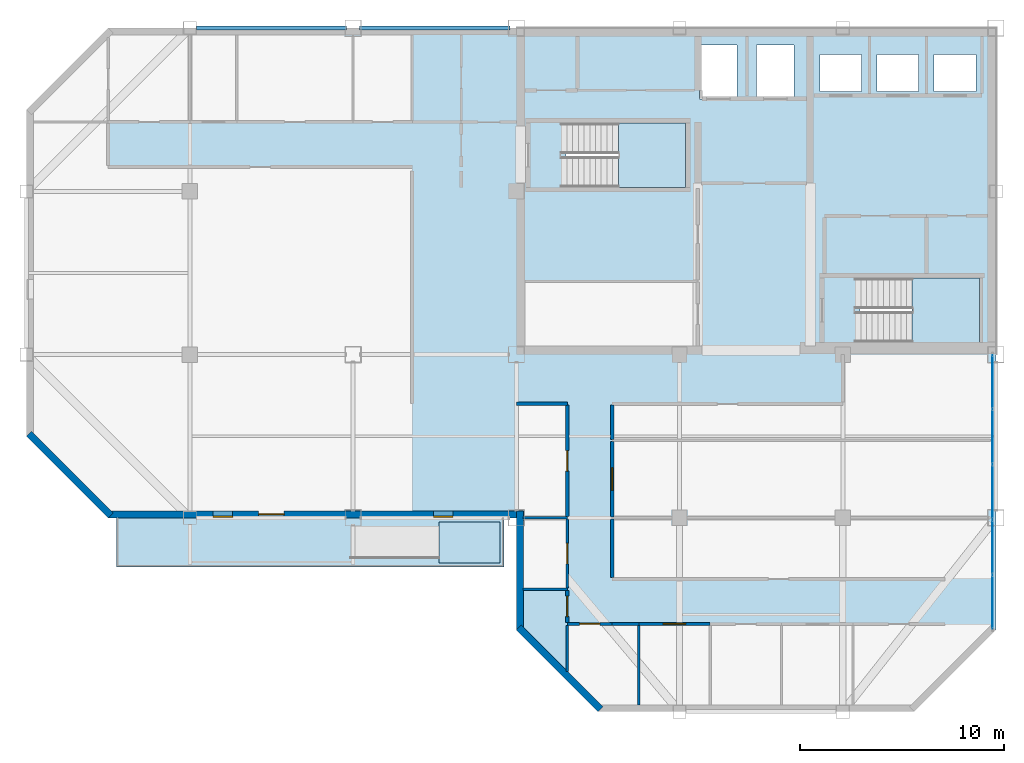
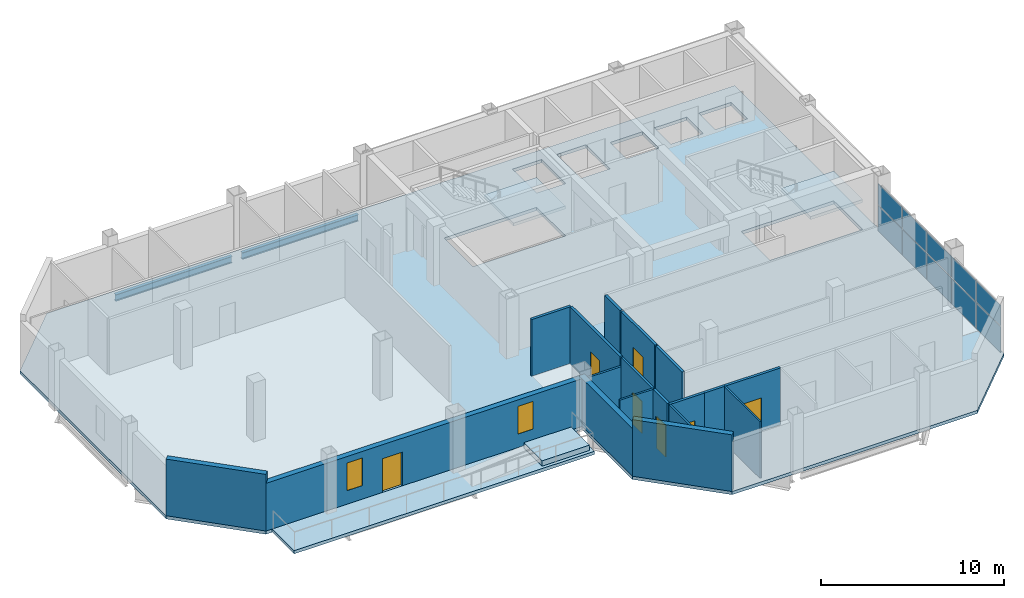
# One storey, part 7 of 13: 18 walls, 10 plates, 7 doors, 5 slabs, 2 beams, 2 windows, 9 openings, 4 elements without a shape of their own.
"""IFC4 building model written with IfcOpenShell, lengths in metres."""

import ifcopenshell
import ifcopenshell.guid

model = None  # the IFC model being written
_history = None  # IfcOwnerHistory: only IFC2X3 demands one
_inside = {}  # id of a spatial element -> (the spatial element, [elements in it])
_under = {}  # id of a project, library or spatial element -> (it, [spatial elements below it])
_declared = {}  # id of a project -> (the project, [libraries it declares])
_typed = {}  # id of a type object -> (the type object, [elements of that type])
_made_of = {}  # id of a material, layer set ... -> (it, [elements and type objects made of it])


def new_model(schema):
    """Start an empty IFC model of exactly this schema.

    Asked for "IFC4X3", IfcOpenShell would pick the latest addendum, in which some entities
    have other attributes; the version numbers below select the first issue.
    IFC2X3 requires an IfcOwnerHistory on every rooted entity: one is made here for all.
    """
    global model, _history
    if schema == "IFC4X3":
        model = ifcopenshell.file(schema_version=(4, 3, 0, 0))
    else:
        model = ifcopenshell.file(schema=schema)
    _inside.clear()
    _under.clear()
    _declared.clear()
    _typed.clear()
    _made_of.clear()
    _history = None
    if model.schema == "IFC2X3":
        org = make("IfcOrganization", Name="unknown")
        user = make(
            "IfcPersonAndOrganization",
            ThePerson=make("IfcPerson", FamilyName="unknown"),
            TheOrganization=org,
        )
        app = make(
            "IfcApplication",
            ApplicationDeveloper=org,
            Version="unknown",
            ApplicationFullName="unknown",
            ApplicationIdentifier="unknown",
        )
        _history = make(
            "IfcOwnerHistory",
            OwningUser=user,
            OwningApplication=app,
            ChangeAction="ADDED",
            CreationDate=0,
        )
    return model


def make(cls, **values):
    """One entity of the class cls with the attributes given. An attribute that is None is left unset."""
    return model.create_entity(
        cls, **{name: value for name, value in values.items() if value is not None}
    )


def rooted(cls, **values):
    """An entity with a GlobalId (a new one), such as an element, a storey or a relation."""
    return make(cls, GlobalId=ifcopenshell.guid.new(), OwnerHistory=_history, **values)


def si_unit(unit_type, name, prefix=None):
    """IfcSIUnit, for example si_unit("LENGTHUNIT", "METRE", prefix="MILLI")."""
    return make("IfcSIUnit", UnitType=unit_type, Prefix=prefix, Name=name)


def assignment(units):
    """IfcUnitAssignment: the units of a project."""
    return None if units is None else make("IfcUnitAssignment", Units=units)


def point(xyz):
    """IfcCartesianPoint."""
    return None if xyz is None else make("IfcCartesianPoint", Coordinates=xyz)


def direction(xyz):
    """IfcDirection."""
    return None if xyz is None else make("IfcDirection", DirectionRatios=xyz)


def frame(location, z_axis=None, x_axis=None):
    """IfcAxis2Placement3D, a coordinate frame: its origin and axes. An axis left out is left unset."""
    return make(
        "IfcAxis2Placement3D",
        Location=point(location),
        Axis=direction(z_axis),
        RefDirection=direction(x_axis),
    )


def frame_2d(location, x_axis=None):
    """IfcAxis2Placement2D, a coordinate frame in the plane: its origin and x axis."""
    return make(
        "IfcAxis2Placement2D", Location=point(location), RefDirection=direction(x_axis)
    )


def origin():
    """The frame at (0, 0, 0) with its axes left unset."""
    return frame((0.0, 0.0, 0.0))


def origin_2d():
    """The frame at (0, 0) in the plane with its x axis left unset."""
    return frame_2d((0.0, 0.0))


def place(relative_to, where):
    """IfcLocalPlacement: puts the frame where relative to a parent placement (None: the world)."""
    return make(
        "IfcLocalPlacement", PlacementRelTo=relative_to, RelativePlacement=where
    )


def context(
    kind, dimensions, precision=None, world=None, true_north=None, identifier=None
):
    """IfcGeometricRepresentationContext, for example the 3D "Model" context."""
    return make(
        "IfcGeometricRepresentationContext",
        ContextIdentifier=identifier,
        ContextType=kind,
        CoordinateSpaceDimension=dimensions,
        Precision=precision,
        WorldCoordinateSystem=world,
        TrueNorth=true_north,
    )


def subcontext(parent, identifier, kind, view, scale=None):
    """IfcGeometricRepresentationSubContext, for example "Body" below "Model"."""
    return make(
        "IfcGeometricRepresentationSubContext",
        ContextIdentifier=identifier,
        ContextType=kind,
        ParentContext=parent,
        TargetScale=scale,
        TargetView=view,
    )


def project(units=None, contexts=None):
    """IfcProject with its units and contexts."""
    return rooted(
        "IfcProject",
        Name="project",
        RepresentationContexts=contexts,
        UnitsInContext=assignment(units),
    )


def spatial(cls, under=None, at=None, **own):
    """A site, building, storey or space (cls), placed at a placement, below another one or the project."""
    s = rooted(cls, ObjectPlacement=at, **own)
    if under is not None:
        _under.setdefault(under.id(), (under, []))[1].append(s)
    return s


def polyline(points):
    """IfcPolyline through the points."""
    return make("IfcPolyline", Points=[point(p) for p in points])


def profile(cls, at=None, kind="AREA", **sizes):
    """A parametric profile (cls). Its sizes go by their IFC names, for example OverallWidth=200.0."""
    return make(cls, ProfileType=kind, Position=at, **sizes)


def rectangle(**sizes):
    """IfcRectangleProfileDef."""
    return profile("IfcRectangleProfileDef", **sizes)


def i_section(**sizes):
    """IfcIShapeProfileDef."""
    return profile("IfcIShapeProfileDef", **sizes)


def outline(outer, holes=None, kind="AREA"):
    """IfcArbitraryClosedProfileDef: a profile drawn as a closed curve; with holes, ...WithVoids."""
    if holes is None:
        return make("IfcArbitraryClosedProfileDef", ProfileType=kind, OuterCurve=outer)
    return make(
        "IfcArbitraryProfileDefWithVoids",
        ProfileType=kind,
        OuterCurve=outer,
        InnerCurves=holes,
    )


def extrude(swept, where, along, depth):
    """IfcExtrudedAreaSolid: the profile swept, set in the frame where, extruded along a direction by depth."""
    return make(
        "IfcExtrudedAreaSolid",
        SweptArea=swept,
        Position=where,
        ExtrudedDirection=direction(along),
        Depth=depth,
    )


def shape(context_of_items, identifier, shape_type, items):
    """IfcShapeRepresentation: the items that make up one representation, for example the "Body"."""
    return make(
        "IfcShapeRepresentation",
        ContextOfItems=context_of_items,
        RepresentationIdentifier=identifier,
        RepresentationType=shape_type,
        Items=items,
    )


def material(Name=None, Category=None):
    """IfcMaterial."""
    return make("IfcMaterial", Name=Name, Category=Category)


def layer(
    of_material, thickness, ventilated=None, Name=None, Category=None, Priority=None
):
    """IfcMaterialLayer: one layer of a wall or slab, of a material (None: an air gap)."""
    return make(
        "IfcMaterialLayer",
        Material=of_material,
        LayerThickness=thickness,
        IsVentilated=ventilated,
        Name=Name,
        Category=Category,
        Priority=Priority,
    )


def layer_set(layers, Name=None):
    """IfcMaterialLayerSet."""
    return make("IfcMaterialLayerSet", MaterialLayers=layers, LayerSetName=Name)


def material_profile(
    of_material, cross_section, Name=None, Category=None, Priority=None
):
    """IfcMaterialProfile: a cross section and its material."""
    return make(
        "IfcMaterialProfile",
        Name=Name,
        Material=of_material,
        Profile=cross_section,
        Priority=Priority,
        Category=Category,
    )


def profile_set(profiles, Name=None, composite=None):
    """IfcMaterialProfileSet."""
    return make(
        "IfcMaterialProfileSet",
        Name=Name,
        MaterialProfiles=profiles,
        CompositeProfile=composite,
    )


def made_of(thing, what):
    """Note that an element or type object is made of a material, layer set ...; save() writes the relation."""
    if what is not None:
        _made_of.setdefault(what.id(), (what, []))[1].append(thing)
    return thing


def type_object(cls, material=None, **own):
    """A type object (cls), such as IfcWallType, which elements share."""
    return made_of(rooted(cls, **own), material)


def element(
    cls,
    number,
    at=None,
    inside=None,
    cuts=None,
    type_object=None,
    material=None,
    context=None,
    identifier="Body",
    shape_type=None,
    held_by="IfcProductDefinitionShape",
    body=None,
    shapes=None,
    **own,
):
    """One element of the class cls, such as IfcWall. Its Tag is "e" and its number.

    at: its placement. inside: the storey or other place that contains it. cuts: it is an
    opening in that element (IfcRelVoidsElement). A single representation is given by context,
    identifier, shape_type and body (its items); several are given by shapes. held_by: the class
    of the entity that holds the representations. save() writes the other relations.
    """
    e = rooted(cls, Tag="e%d" % number, ObjectPlacement=at, **own)
    if body is not None:
        shapes = [shape(context, identifier, shape_type, body)]
    if shapes is not None:
        e.Representation = make(held_by, Representations=shapes)
    if inside is not None:
        _inside.setdefault(inside.id(), (inside, []))[1].append(e)
    if cuts is not None:
        rooted(
            "IfcRelVoidsElement", RelatingBuildingElement=cuts, RelatedOpeningElement=e
        )
    if type_object is not None:
        _typed.setdefault(type_object.id(), (type_object, []))[1].append(e)
    return made_of(e, material)


def fill(opening, filler):
    """IfcRelFillsElement: the door or window that sits in an opening."""
    return rooted(
        "IfcRelFillsElement",
        RelatingOpeningElement=opening,
        RelatedBuildingElement=filler,
    )


def aggregate(whole, parts):
    """IfcRelAggregates: a whole, such as a stair, and the parts it consists of."""
    return rooted("IfcRelAggregates", RelatingObject=whole, RelatedObjects=parts)


def save(model, path):
    """Write the relations noted so far, then the file.

    IfcRelAggregates (storeys below a building ...), IfcRelContainedInSpatialStructure (elements
    in a storey), IfcRelDefinesByType, IfcRelAssociatesMaterial and IfcRelDeclares: one each for
    every whole, place, type object, material and project.
    """
    for whole, parts in _under.values():
        aggregate(whole, parts)
    for where, things in _inside.values():
        rooted(
            "IfcRelContainedInSpatialStructure",
            RelatedElements=things,
            RelatingStructure=where,
        )
    for kind, things in _typed.values():
        rooted("IfcRelDefinesByType", RelatedObjects=things, RelatingType=kind)
    for what, things in _made_of.values():
        rooted("IfcRelAssociatesMaterial", RelatedObjects=things, RelatingMaterial=what)
    for by, libraries in _declared.values():
        rooted("IfcRelDeclares", RelatingContext=by, RelatedDefinitions=libraries)
    model.write(path)


model = new_model("IFC4")

# Units and contexts
model_context = context("Model", 3, precision=1e-05, world=origin(), true_north=direction((0.0, 1.0)))
body_context = subcontext(model_context, "Body", "Model", "MODEL_VIEW")
ifc_project = project(units=[si_unit("LENGTHUNIT", "METRE"), si_unit("AREAUNIT", "SQUARE_METRE"), si_unit("VOLUMEUNIT", "CUBIC_METRE"), si_unit("PLANEANGLEUNIT", "RADIAN"), si_unit("MASSUNIT", "GRAM", prefix="KILO")], contexts=[model_context])

# Site, building, storey
site_placement = place(None, origin())
site = spatial("IfcSite", under=ifc_project, at=site_placement, CompositionType="ELEMENT")
building_placement = place(site_placement, origin())
building = spatial("IfcBuilding", under=site, at=building_placement, Name="Qianrong Seaharbour Tower", CompositionType="ELEMENT")
storey_placement = place(building_placement, frame((0.0, 0.0, 295.199951171875)))
storey = spatial("IfcBuildingStorey", under=building, at=storey_placement, Name="L71", CompositionType="ELEMENT", Elevation=295.199951171875)

# Beams
ifc_material_1 = material(Name="Structural steel SN400B", Category="steel")
ifc_material_profile = material_profile(ifc_material_1, i_section(OverallWidth=0.199951171875, OverallDepth=0.449951171875, WebThickness=0.009033203125, FlangeThickness=0.013916015625, FilletRadius=0.01806640625, at=origin_2d()), Name="H450x200x9x14")
ifc_profile_set = profile_set([ifc_material_profile], Name="Structural steel SN400B")
beam_type = type_object("IfcBeamType", Name="BM-SP-450", PredefinedType="SPANDREL", material=ifc_profile_set)
for number, where, z_axis, x_axis, name in (
    (1, (24.820068359375, 52.0, -0.43994140625), (1.0, 0.0, 0.0), (0.0, 1.0, 0.0), "L71 Spandrel Girder GH G4-G5"),
    (2, (32.820068359375, 52.0, -0.43994140625), (1.0, 0.0, 0.0), (0.0, 1.0, 0.0), "L71 Spandrel Girder GH G5-G6"),
):
    element("IfcBeam", number, at=place(storey_placement, frame(where, z_axis=z_axis, x_axis=x_axis)), inside=storey, type_object=beam_type, Name=name, PredefinedType="SPANDREL", context=body_context, shape_type="SweptSolid", body=[
        extrude(i_section(OverallWidth=0.199951171875, OverallDepth=0.449951171875, WebThickness=0.009033203125, FlangeThickness=0.013916015625, FilletRadius=0.01806640625, at=origin_2d()), origin(), (0.0, 0.0, 1.0), 7.35986328125),
    ])

# Curtain wall, plates
ifc_material_2 = material(Name="Anodised aluminium 6063-T6 and laminated low-e glass", Category="aluminium")
ifc_layer_1 = layer(ifc_material_2, 0.195068359375)
ifc_layer_set_1 = layer_set([ifc_layer_1], Name="Anodised aluminium 6063-T6 and laminated low-e glass")
curtain_wall_type = type_object("IfcCurtainWallType", Name="CW-SYS-3", PredefinedType="NOTDEFINED", material=ifc_layer_set_1)
curtain_wall_placement = place(storey_placement, origin())
curtain_wall = element("IfcCurtainWall", 3, at=curtain_wall_placement, inside=storey, type_object=curtain_wall_type, Name="L71 Sky-Garden Wintergarden Curtain Wall EAST_WING", PredefinedType="NOTDEFINED")
ifc_material_3 = material(Name="Laminated solar-control low-e glass", Category="glass")
ifc_layer_2 = layer(ifc_material_3, 0.031982421875)
ifc_layer_set_2 = layer_set([ifc_layer_2], Name="Laminated solar-control low-e glass")
plate_type = type_object("IfcPlateType", Name="CW-PAN-VISION-32", PredefinedType="CURTAIN_PANEL", material=ifc_layer_set_2)
plate_1_placement = place(storey_placement, frame((63.830078125, 34.677490234375, 0.06494140625), z_axis=(0.0, 0.0, 1.0), x_axis=(0.0, -1.0, 0.0)))
plate_1 = element("IfcPlate", 4, at=plate_1_placement, type_object=plate_type, Name="CW-3 panel 1.1", PredefinedType="CURTAIN_PANEL", context=body_context, shape_type="SweptSolid", body=[
    extrude(rectangle(XDim=2.60498046875, YDim=0.031982421875, at=origin_2d()), origin(), (0.0, 0.0, 1.0), 1.714599609375),
])
plate_2_placement = place(storey_placement, frame((63.830078125, 34.677490234375, 1.8447265625), z_axis=(0.0, 0.0, 1.0), x_axis=(0.0, -1.0, 0.0)))
plate_2 = element("IfcPlate", 5, at=plate_2_placement, type_object=plate_type, Name="CW-3 panel 1.2", PredefinedType="CURTAIN_PANEL", context=body_context, shape_type="SweptSolid", body=[
    extrude(rectangle(XDim=2.60498046875, YDim=0.031982421875, at=origin_2d()), origin(), (0.0, 0.0, 1.0), 1.38525390625),
])
plate_3_placement = place(storey_placement, frame((63.830078125, 31.985107421875, 0.06494140625), z_axis=(0.0, 0.0, 1.0), x_axis=(0.0, -1.0, 0.0)))
plate_3 = element("IfcPlate", 6, at=plate_3_placement, type_object=plate_type, Name="CW-3 panel 2.1", PredefinedType="CURTAIN_PANEL", context=body_context, shape_type="SweptSolid", body=[
    extrude(rectangle(XDim=2.639892578125, YDim=0.031982421875, at=origin_2d()), origin(), (0.0, 0.0, 1.0), 1.714599609375),
])
plate_4_placement = place(storey_placement, frame((63.830078125, 31.985107421875, 1.8447265625), z_axis=(0.0, 0.0, 1.0), x_axis=(0.0, -1.0, 0.0)))
plate_4 = element("IfcPlate", 7, at=plate_4_placement, type_object=plate_type, Name="CW-3 panel 2.2", PredefinedType="CURTAIN_PANEL", context=body_context, shape_type="SweptSolid", body=[
    extrude(rectangle(XDim=2.639892578125, YDim=0.031982421875, at=origin_2d()), origin(), (0.0, 0.0, 1.0), 1.38525390625),
])
plate_5_placement = place(storey_placement, frame((63.830078125, 29.27490234375, 0.06494140625), z_axis=(0.0, 0.0, 1.0), x_axis=(0.0, -1.0, 0.0)))
plate_5 = element("IfcPlate", 8, at=plate_5_placement, type_object=plate_type, Name="CW-3 panel 3.1", PredefinedType="CURTAIN_PANEL", context=body_context, shape_type="SweptSolid", body=[
    extrude(rectangle(XDim=2.639892578125, YDim=0.031982421875, at=origin_2d()), origin(), (0.0, 0.0, 1.0), 1.714599609375),
])
plate_6_placement = place(storey_placement, frame((63.830078125, 29.27490234375, 1.8447265625), z_axis=(0.0, 0.0, 1.0), x_axis=(0.0, -1.0, 0.0)))
plate_6 = element("IfcPlate", 9, at=plate_6_placement, type_object=plate_type, Name="CW-3 panel 3.2", PredefinedType="CURTAIN_PANEL", context=body_context, shape_type="SweptSolid", body=[
    extrude(rectangle(XDim=2.639892578125, YDim=0.031982421875, at=origin_2d()), origin(), (0.0, 0.0, 1.0), 1.38525390625),
])
plate_7_placement = place(storey_placement, frame((63.830078125, 26.56494140625, 0.06494140625), z_axis=(0.0, 0.0, 1.0), x_axis=(0.0, -1.0, 0.0)))
plate_7 = element("IfcPlate", 10, at=plate_7_placement, type_object=plate_type, Name="CW-3 panel 4.1", PredefinedType="CURTAIN_PANEL", context=body_context, shape_type="SweptSolid", body=[
    extrude(rectangle(XDim=2.639892578125, YDim=0.031982421875, at=origin_2d()), origin(), (0.0, 0.0, 1.0), 1.714599609375),
])
plate_8_placement = place(storey_placement, frame((63.830078125, 26.56494140625, 1.8447265625), z_axis=(0.0, 0.0, 1.0), x_axis=(0.0, -1.0, 0.0)))
plate_8 = element("IfcPlate", 11, at=plate_8_placement, type_object=plate_type, Name="CW-3 panel 4.2", PredefinedType="CURTAIN_PANEL", context=body_context, shape_type="SweptSolid", body=[
    extrude(rectangle(XDim=2.639892578125, YDim=0.031982421875, at=origin_2d()), origin(), (0.0, 0.0, 1.0), 1.38525390625),
])
plate_9_placement = place(storey_placement, frame((63.830078125, 23.87255859375, 0.06494140625), z_axis=(0.0, 0.0, 1.0), x_axis=(0.0, -1.0, 0.0)))
plate_9 = element("IfcPlate", 12, at=plate_9_placement, type_object=plate_type, Name="CW-3 panel 5.1", PredefinedType="CURTAIN_PANEL", context=body_context, shape_type="SweptSolid", body=[
    extrude(rectangle(XDim=2.60498046875, YDim=0.031982421875, at=origin_2d()), origin(), (0.0, 0.0, 1.0), 1.714599609375),
])
plate_10_placement = place(storey_placement, frame((63.830078125, 23.87255859375, 1.8447265625), z_axis=(0.0, 0.0, 1.0), x_axis=(0.0, -1.0, 0.0)))
plate_10 = element("IfcPlate", 13, at=plate_10_placement, type_object=plate_type, Name="CW-3 panel 5.2", PredefinedType="CURTAIN_PANEL", context=body_context, shape_type="SweptSolid", body=[
    extrude(rectangle(XDim=2.60498046875, YDim=0.031982421875, at=origin_2d()), origin(), (0.0, 0.0, 1.0), 1.38525390625),
])
aggregate(curtain_wall, [plate_1, plate_2, plate_3, plate_4, plate_5, plate_6, plate_7, plate_8, plate_9, plate_10])

# Ramp, slab
ifc_material_4 = material(Name="White architectural precast concrete C45/55", Category="concrete")
ramp_type = type_object("IfcRampType", Name="RAMP-RIBBON-GARDEN", PredefinedType="STRAIGHT_RUN_RAMP", material=ifc_material_4)
ramp_placement = place(storey_placement, origin())
ramp = element("IfcRamp", 14, at=ramp_placement, inside=storey, type_object=ramp_type, Name="L71 Harbourfront Garden Ribbon Ramp", PredefinedType="STRAIGHT_RUN_RAMP")
ifc_layer_3 = layer(ifc_material_4, 0.360107421875)
ifc_layer_set_3 = layer_set([ifc_layer_3], Name="White architectural precast concrete C45/55")
slab_type_1 = type_object("IfcSlabType", Name="SLAB-RAMP-LANDING-220", PredefinedType="LANDING", material=ifc_layer_set_3)
slab_1_placement = place(storey_placement, origin())
slab_1 = element("IfcSlab", 15, at=slab_1_placement, type_object=slab_type_1, Name="L71 Harbourfront Ribbon Raised Garden Landing", PredefinedType="LANDING", context=body_context, shape_type="SweptSolid", body=[
    extrude(outline(polyline([(36.699951171875, 25.800048828125), (39.699951171875, 25.800048828125), (39.699951171875, 27.800048828125), (36.699951171875, 27.800048828125), (36.699951171875, 25.800048828125)])), origin(), (0.0, 0.0, 1.0), 0.360107421875),
])
aggregate(ramp, [slab_1])

# Slab
ifc_layer_4 = layer(ifc_material_4, 0.215087890625)
ifc_layer_set_4 = layer_set([ifc_layer_4], Name="White architectural precast concrete C45/55")
slab_type_2 = type_object("IfcSlabType", Name="SLAB-RIBBON-215", PredefinedType="FLOOR", material=ifc_layer_set_4)
slab_2_placement = place(storey_placement, frame((0.0, 0.0, -0.21484375)))
element("IfcSlab", 16, at=slab_2_placement, inside=storey, type_object=slab_type_2, Name="L71 Harbourfront White Precast Ribbon Gallery Slab", PredefinedType="FLOOR", context=body_context, shape_type="SweptSolid", body=[
    extrude(outline(polyline([(20.89990234375, 25.60009765625), (39.89990234375, 25.60009765625), (39.89990234375, 28.0), (20.89990234375, 28.0), (20.89990234375, 25.60009765625)])), origin(), (0.0, 0.0, 1.0), 0.21484375),
])

# Stair, slab
ifc_material_5 = material(Name="Concrete C50/60", Category="concrete")
stair_type = type_object("IfcStairType", Name="STAIR-DOGLEG-1500-R22", PredefinedType="HALF_TURN_STAIR", material=ifc_material_5)
stair_1_placement = place(storey_placement, origin())
stair_1 = element("IfcStair", 17, at=stair_1_placement, inside=storey, type_object=stair_type, Name="L71 Protected Escape Stair ST-1", PredefinedType="HALF_TURN_STAIR")
ifc_layer_5 = layer(ifc_material_5, 0.199951171875)
ifc_layer_set_5 = layer_set([ifc_layer_5], Name="Concrete C50/60")
slab_type_3 = type_object("IfcSlabType", Name="SLAB-STAIR-LANDING-200", PredefinedType="LANDING", material=ifc_layer_set_5)
slab_3_placement = place(storey_placement, frame((0.0, 0.0, 1.800048828125)))
slab_3 = element("IfcSlab", 18, at=slab_3_placement, type_object=slab_type_3, Name="ST-1 landing 1", PredefinedType="LANDING", context=body_context, shape_type="SweptSolid", body=[
    extrude(outline(polyline([(45.5, 44.199951171875), (48.800048828125, 44.199951171875), (48.800048828125, 47.35009765625), (45.5, 47.35009765625), (45.5, 44.199951171875)])), origin(), (0.0, 0.0, 1.0), 0.199951171875),
])
aggregate(stair_1, [slab_3])

stair_2_placement = place(storey_placement, origin())
stair_2 = element("IfcStair", 19, at=stair_2_placement, inside=storey, type_object=stair_type, Name="L71 Protected Escape Stair ST-2", PredefinedType="HALF_TURN_STAIR")
slab_4_placement = place(storey_placement, frame((0.0, 0.0, 1.800048828125)))
slab_4 = element("IfcSlab", 20, at=slab_4_placement, type_object=slab_type_3, Name="ST-2 landing 1", PredefinedType="LANDING", context=body_context, shape_type="SweptSolid", body=[
    extrude(outline(polyline([(59.89990234375, 36.60009765625), (63.199951171875, 36.60009765625), (63.199951171875, 39.75), (59.89990234375, 39.75), (59.89990234375, 36.60009765625)])), origin(), (0.0, 0.0, 1.0), 0.199951171875),
])
aggregate(stair_2, [slab_4])

# Slab
ifc_layer_6 = layer(ifc_material_5, 0.215087890625)
ifc_layer_set_6 = layer_set([ifc_layer_6], Name="Concrete C50/60")
slab_type_4 = type_object("IfcSlabType", Name="SLAB-Z4-215", PredefinedType="FLOOR", material=ifc_layer_set_6)
slab_5_placement = place(storey_placement, frame((0.0, 0.0, -0.21484375)))
element("IfcSlab", 21, at=slab_5_placement, inside=storey, type_object=slab_type_4, Name="L71 Structural Floor Slab", PredefinedType="FLOOR", context=body_context, shape_type="SweptSolid", body=[
    extrude(outline(polyline([(44.5, 18.5), (60.0, 18.5), (64.0, 22.5), (64.0, 52.0), (20.5, 52.0), (16.5, 48.0), (16.5, 32.0), (20.5, 28.0), (40.5, 28.0), (40.5, 22.5), (44.5, 18.5)]), holes=[polyline([(42.93994140625, 44.199951171875), (42.93994140625, 47.35009765625), (48.800048828125, 47.35009765625), (48.800048828125, 44.199951171875), (42.93994140625, 44.199951171875)]), polyline([(57.340087890625, 36.60009765625), (57.340087890625, 39.75), (63.199951171875, 39.75), (63.199951171875, 36.60009765625), (57.340087890625, 36.60009765625)]), polyline([(49.47998046875, 48.530029296875), (49.47998046875, 51.169921875), (51.320068359375, 51.169921875), (51.320068359375, 48.530029296875), (49.47998046875, 48.530029296875)]), polyline([(52.280029296875, 48.530029296875), (52.280029296875, 51.169921875), (54.1201171875, 51.169921875), (54.1201171875, 48.530029296875), (52.280029296875, 48.530029296875)]), polyline([(55.3798828125, 48.89990234375), (55.3798828125, 50.699951171875), (57.419921875, 50.699951171875), (57.419921875, 48.89990234375), (55.3798828125, 48.89990234375)]), polyline([(58.179931640625, 48.89990234375), (58.179931640625, 50.699951171875), (60.219970703125, 50.699951171875), (60.219970703125, 48.89990234375), (58.179931640625, 48.89990234375)]), polyline([(60.97998046875, 48.89990234375), (60.97998046875, 50.699951171875), (63.02001953125, 50.699951171875), (63.02001953125, 48.89990234375), (60.97998046875, 48.89990234375)])]), origin(), (0.0, 0.0, 1.0), 0.21484375),
])

# Walls
ifc_material_6 = material(Name="Fire-rated acoustic gypsum board partition")
ifc_layer_7 = layer(ifc_material_6, 0.1650390625)
ifc_layer_set_7 = layer_set([ifc_layer_7], Name="Fire-rated acoustic gypsum board partition")
wall_type_1 = type_object("IfcWallType", Name="WALL-CORR-PART-165", PredefinedType="PARTITIONING", material=ifc_layer_set_7)
wall_1_placement = place(storey_placement, frame((43.0, 33.60009765625, 0.0), z_axis=(0.0, 0.0, 1.0), x_axis=(-1.0, 0.0, 0.0)))
element("IfcWall", 22, at=wall_1_placement, inside=storey, type_object=wall_type_1, Name="L71 Interior Partition Wall 027", PredefinedType="PARTITIONING", context=body_context, shape_type="SweptSolid", body=[
    extrude(rectangle(XDim=2.5, YDim=0.1650390625, at=frame_2d((1.25, 0.0))), origin(), (0.0, 0.0, 1.0), 3.78515625),
])
wall_2_placement = place(storey_placement, frame((45.199951171875, 27.952880859375, 0.0), z_axis=(0.0, 0.0, 1.0), x_axis=(0.0, -1.0, 0.0)))
element("IfcWall", 23, at=wall_2_placement, inside=storey, type_object=wall_type_1, Name="L71 Interior Partition Wall 028", PredefinedType="PARTITIONING", context=body_context, shape_type="SweptSolid", body=[
    extrude(rectangle(XDim=2.87841796875, YDim=0.1650390625, at=frame_2d((1.439208984375, 0.0))), origin(), (0.0, 0.0, 1.0), 3.78515625),
])

# Wall, opening, door
wall_3_placement = place(storey_placement, frame((45.199951171875, 31.7529296875, 0.0), z_axis=(0.0, 0.0, 1.0), x_axis=(0.0, -1.0, 0.0)))
wall_3 = element("IfcWall", 24, at=wall_3_placement, inside=storey, type_object=wall_type_1, Name="L71 Interior Partition Wall 029", PredefinedType="PARTITIONING", context=body_context, shape_type="SweptSolid", body=[
    extrude(rectangle(XDim=3.705810546875, YDim=0.1650390625, at=frame_2d((1.85302734375, 0.0))), origin(), (0.0, 0.0, 1.0), 3.78515625),
])
opening_1_placement = place(wall_3_placement, frame((1.302978515625, 0.0, 0.0)))
opening_1 = element("IfcOpeningElement", 25, at=opening_1_placement, cuts=wall_3, Name="Opening DM-01", PredefinedType="OPENING", context=body_context, shape_type="SweptSolid", body=[
    extrude(rectangle(XDim=1.10009765625, YDim=2.199951171875, at=frame_2d((0.550048828125, 1.10009765625))), frame((0.0, 0.092529296875, 0.0), z_axis=(0.0, -1.0, 0.0), x_axis=(1.0, 0.0, 0.0)), (0.0, 0.0, 1.0), 0.18505859375),
])
ifc_material_7 = material(Name="Acoustic timber and galvanized steel fire door assembly", Category="steel")
door_type_1 = type_object("IfcDoorType", Name="DOOR-MEET-1100x2200", OperationType="NOTDEFINED", PredefinedType="DOOR", material=ifc_material_7)
door_1_placement = place(opening_1_placement, origin())
door_1 = element("IfcDoor", 26, at=door_1_placement, inside=storey, type_object=door_type_1, Name="L71 Boardroom 2 Door", OperationType="SINGLE_SWING_RIGHT", OverallHeight=2.199951171875, OverallWidth=1.10009765625, PredefinedType="DOOR", context=body_context, shape_type="SweptSolid", body=[
    extrude(rectangle(XDim=1.10009765625, YDim=2.199951171875, at=frame_2d((0.550048828125, 1.10009765625))), frame((0.0, 0.02490234375, 0.0), z_axis=(0.0, -1.0, 0.0), x_axis=(1.0, 0.0, 0.0)), (0.0, 0.0, 1.0), 0.050048828125),
])
fill(opening_1, door_1)

# Wall
wall_4_placement = place(storey_placement, frame((45.199951171875, 33.525390625, 0.0), z_axis=(0.0, 0.0, 1.0), x_axis=(0.0, -1.0, 0.0)))
element("IfcWall", 27, at=wall_4_placement, inside=storey, type_object=wall_type_1, Name="L71 Interior Partition Wall 030", PredefinedType="PARTITIONING", context=body_context, shape_type="SweptSolid", body=[
    extrude(rectangle(XDim=1.678466796875, YDim=0.1650390625, at=frame_2d((0.83935546875, 0.0))), origin(), (0.0, 0.0, 1.0), 3.78515625),
])

# Wall, opening, door
wall_5_placement = place(storey_placement, frame((43.0, 22.87451171875, 0.0), z_axis=(0.0, 0.0, 1.0), x_axis=(0.0, 1.0, 0.0)))
wall_5 = element("IfcWall", 28, at=wall_5_placement, inside=storey, type_object=wall_type_1, Name="L71 Interior Partition Wall 031", PredefinedType="PARTITIONING", context=body_context, shape_type="SweptSolid", body=[
    extrude(rectangle(XDim=1.568603515625, YDim=0.1650390625, at=frame_2d((0.7841796875, 0.0))), origin(), (0.0, 0.0, 1.0), 3.78515625),
])
opening_2_placement = place(wall_5_placement, frame((0.2841796875, 0.0, 0.0)))
opening_2 = element("IfcOpeningElement", 29, at=opening_2_placement, cuts=wall_5, Name="Opening DO-01", PredefinedType="OPENING", context=body_context, shape_type="SweptSolid", body=[
    extrude(rectangle(XDim=1.0, YDim=2.14990234375, at=frame_2d((0.5, 1.074951171875))), frame((0.0, 0.092529296875, 0.0), z_axis=(0.0, -1.0, 0.0), x_axis=(1.0, 0.0, 0.0)), (0.0, 0.0, 1.0), 0.18505859375),
])
door_type_2 = type_object("IfcDoorType", Name="DOOR-OFFICE-1000x2150", OperationType="NOTDEFINED", PredefinedType="DOOR", material=ifc_material_7)
door_2_placement = place(opening_2_placement, origin())
door_2 = element("IfcDoor", 30, at=door_2_placement, inside=storey, type_object=door_type_2, Name="L71 Executive Office 1 Door", OperationType="SINGLE_SWING_RIGHT", OverallHeight=2.14990234375, OverallWidth=1.0, PredefinedType="DOOR", context=body_context, shape_type="SweptSolid", body=[
    extrude(rectangle(XDim=1.0, YDim=2.14990234375, at=frame_2d((0.5, 1.074951171875))), frame((0.0, 0.02490234375, 0.0), z_axis=(0.0, -1.0, 0.0), x_axis=(1.0, 0.0, 0.0)), (0.0, 0.0, 1.0), 0.050048828125),
])
fill(opening_2, door_2)

wall_6_placement = place(storey_placement, frame((43.0, 28.056884765625, 0.0), z_axis=(0.0, 0.0, 1.0), x_axis=(0.0, 1.0, 0.0)))
wall_6 = element("IfcWall", 31, at=wall_6_placement, inside=storey, type_object=wall_type_1, Name="L71 Interior Partition Wall 033", PredefinedType="PARTITIONING", context=body_context, shape_type="SweptSolid", body=[
    extrude(rectangle(XDim=5.468505859375, YDim=0.1650390625, at=frame_2d((2.734375, 0.0))), origin(), (0.0, 0.0, 1.0), 3.78515625),
])
opening_3_placement = place(wall_6_placement, frame((2.234130859375, 0.0, 0.0)))
opening_3 = element("IfcOpeningElement", 32, at=opening_3_placement, cuts=wall_6, Name="Opening DO-01", PredefinedType="OPENING", context=body_context, shape_type="SweptSolid", body=[
    extrude(rectangle(XDim=1.0, YDim=2.14990234375, at=frame_2d((0.5, 1.074951171875))), frame((0.0, 0.092529296875, 0.0), z_axis=(0.0, -1.0, 0.0), x_axis=(1.0, 0.0, 0.0)), (0.0, 0.0, 1.0), 0.18505859375),
])
door_3_placement = place(opening_3_placement, origin())
door_3 = element("IfcDoor", 33, at=door_3_placement, inside=storey, type_object=door_type_2, Name="L71 Focus Room 3 Door", OperationType="SINGLE_SWING_RIGHT", OverallHeight=2.14990234375, OverallWidth=1.0, PredefinedType="DOOR", context=body_context, shape_type="SweptSolid", body=[
    extrude(rectangle(XDim=1.0, YDim=2.14990234375, at=frame_2d((0.5, 1.074951171875))), frame((0.0, 0.02490234375, 0.0), z_axis=(0.0, -1.0, 0.0), x_axis=(1.0, 0.0, 0.0)), (0.0, 0.0, 1.0), 0.050048828125),
])
fill(opening_3, door_3)

wall_7_placement = place(storey_placement, frame((45.199951171875, 22.800048828125, 0.0), z_axis=(0.0, 0.0, 1.0), x_axis=(-1.0, 0.0, 0.0)))
wall_7 = element("IfcWall", 34, at=wall_7_placement, inside=storey, type_object=wall_type_1, Name="L71 Interior Partition Wall 034", PredefinedType="PARTITIONING", context=body_context, shape_type="SweptSolid", body=[
    extrude(rectangle(XDim=2.199951171875, YDim=0.1650390625, at=frame_2d((1.10009765625, 0.0))), origin(), (0.0, 0.0, 1.0), 3.78515625),
])
opening_4_placement = place(wall_7_placement, frame((0.60009765625, 0.0, 0.0)))
opening_4 = element("IfcOpeningElement", 35, at=opening_4_placement, cuts=wall_7, Name="Opening DO-01", PredefinedType="OPENING", context=body_context, shape_type="SweptSolid", body=[
    extrude(rectangle(XDim=1.0, YDim=2.14990234375, at=frame_2d((0.5, 1.074951171875))), frame((0.0, 0.092529296875, 0.0), z_axis=(0.0, -1.0, 0.0), x_axis=(1.0, 0.0, 0.0)), (0.0, 0.0, 1.0), 0.18505859375),
])
door_4_placement = place(opening_4_placement, origin())
door_4 = element("IfcDoor", 36, at=door_4_placement, inside=storey, type_object=door_type_2, Name="L71 Executive Office 1 Door", OperationType="SINGLE_SWING_LEFT", OverallHeight=2.14990234375, OverallWidth=1.0, PredefinedType="DOOR", context=body_context, shape_type="SweptSolid", body=[
    extrude(rectangle(XDim=1.0, YDim=2.14990234375, at=frame_2d((0.5, 1.074951171875))), frame((0.0, 0.02490234375, 0.0), z_axis=(0.0, -1.0, 0.0), x_axis=(1.0, 0.0, 0.0)), (0.0, 0.0, 1.0), 0.050048828125),
])
fill(opening_4, door_4)

# Wall
wall_8_placement = place(storey_placement, frame((46.5, 22.800048828125, 0.0), z_axis=(0.0, 0.0, 1.0), x_axis=(-1.0, 0.0, 0.0)))
element("IfcWall", 37, at=wall_8_placement, inside=storey, type_object=wall_type_1, Name="L71 Interior Partition Wall 036", PredefinedType="PARTITIONING", context=body_context, shape_type="SweptSolid", body=[
    extrude(rectangle(XDim=1.300048828125, YDim=0.1650390625, at=frame_2d((0.64990234375, 0.0))), origin(), (0.0, 0.0, 1.0), 3.78515625),
])

# Wall, opening, door
wall_9_placement = place(storey_placement, frame((50.0, 22.800048828125, 0.0), z_axis=(0.0, 0.0, 1.0), x_axis=(-1.0, 0.0, 0.0)))
wall_9 = element("IfcWall", 38, at=wall_9_placement, inside=storey, type_object=wall_type_1, Name="L71 Interior Partition Wall 037", PredefinedType="PARTITIONING", context=body_context, shape_type="SweptSolid", body=[
    extrude(rectangle(XDim=3.5, YDim=0.1650390625, at=frame_2d((1.75, 0.0))), origin(), (0.0, 0.0, 1.0), 3.78515625),
])
opening_5_placement = place(wall_9_placement, frame((1.199951171875, 0.0, 0.0)))
opening_5 = element("IfcOpeningElement", 39, at=opening_5_placement, cuts=wall_9, Name="Opening DM-01", PredefinedType="OPENING", context=body_context, shape_type="SweptSolid", body=[
    extrude(rectangle(XDim=1.10009765625, YDim=2.199951171875, at=frame_2d((0.550048828125, 1.10009765625))), frame((0.0, 0.092529296875, 0.0), z_axis=(0.0, -1.0, 0.0), x_axis=(1.0, 0.0, 0.0)), (0.0, 0.0, 1.0), 0.18505859375),
])
door_5_placement = place(opening_5_placement, origin())
door_5 = element("IfcDoor", 40, at=door_5_placement, inside=storey, type_object=door_type_1, Name="L71 Meeting Room 2 Door", OperationType="SINGLE_SWING_RIGHT", OverallHeight=2.199951171875, OverallWidth=1.10009765625, PredefinedType="DOOR", context=body_context, shape_type="SweptSolid", body=[
    extrude(rectangle(XDim=1.10009765625, YDim=2.199951171875, at=frame_2d((0.550048828125, 1.10009765625))), frame((0.0, 0.02490234375, 0.0), z_axis=(0.0, -1.0, 0.0), x_axis=(1.0, 0.0, 0.0)), (0.0, 0.0, 1.0), 0.050048828125),
])
fill(opening_5, door_5)

# Walls
ifc_material_8 = material(Name="Demountable aluminium-framed acoustic office partition", Category="aluminium")
ifc_layer_8 = layer(ifc_material_8, 0.110107421875)
ifc_layer_set_8 = layer_set([ifc_layer_8], Name="Demountable aluminium-framed acoustic office partition")
wall_type_2 = type_object("IfcWallType", Name="WALL-DEMOUNT-110", PredefinedType="MOVABLE", material=ifc_layer_set_8)
wall_10_placement = place(storey_placement, frame((43.0, 22.7255859375, 0.0), z_axis=(0.0, 0.0, 1.0), x_axis=(0.0, -1.0, 0.0)))
element("IfcWall", 41, at=wall_10_placement, inside=storey, type_object=wall_type_2, Name="L71 Interior Partition Wall 049", PredefinedType="MOVABLE", context=body_context, shape_type="SweptSolid", body=[
    extrude(rectangle(XDim=2.256103515625, YDim=0.110107421875, at=frame_2d((1.1279296875, 0.0))), origin(), (0.0, 0.0, 1.0), 3.78515625),
])
wall_11_placement = place(storey_placement, frame((46.5, 22.7255859375, 0.0), z_axis=(0.0, 0.0, 1.0), x_axis=(0.0, -1.0, 0.0)))
element("IfcWall", 42, at=wall_11_placement, inside=storey, type_object=wall_type_2, Name="L71 Interior Partition Wall 051", PredefinedType="MOVABLE", context=body_context, shape_type="SweptSolid", body=[
    extrude(rectangle(XDim=3.8935546875, YDim=0.110107421875, at=frame_2d((1.94677734375, 0.0))), origin(), (0.0, 0.0, 1.0), 3.78515625),
])
ifc_material_9 = material(Name="Unitised buff brick on Precast concrete C45/55", Category="masonry")
ifc_layer_9 = layer(ifc_material_9, 0.340087890625)
ifc_layer_set_9 = layer_set([ifc_layer_9], Name="Unitised buff brick on Precast concrete C45/55")
wall_type_3 = type_object("IfcWallType", Name="WALL-EXT-BRICK-BUFF-340", PredefinedType="SOLIDWALL", material=ifc_layer_set_9)
wall_12_placement = place(storey_placement, frame((40.669921875, 22.5, 0.0), z_axis=(0.0, 0.0, 1.0), x_axis=(0.0, 1.0, 0.0)))
element("IfcWall", 43, at=wall_12_placement, inside=storey, type_object=wall_type_3, Name="L71 Exterior Masonry Facade Wall REENTRANT_WEST", PredefinedType="SOLIDWALL", context=body_context, shape_type="SweptSolid", body=[
    extrude(rectangle(XDim=5.840087890625, YDim=0.340087890625, at=frame_2d((2.919921875, 0.0))), origin(), (0.0, 0.0, 1.0), 3.18505859375),
])

# Wall, openings, door, windows
wall_13_placement = place(storey_placement, frame((40.52001953125, 28.169921875, 0.0), z_axis=(0.0, 0.0, 1.0), x_axis=(-1.0, 0.0, 0.0)))
wall_13 = element("IfcWall", 44, at=wall_13_placement, inside=storey, type_object=wall_type_3, Name="L71 Exterior Masonry Facade Wall HARBOUR_RIBBON", PredefinedType="SOLIDWALL", context=body_context, shape_type="SweptSolid", body=[
    extrude(rectangle(XDim=20.02001953125, YDim=0.340087890625, at=frame_2d((10.010009765625, 0.0))), origin(), (0.0, 0.0, 1.0), 3.18505859375),
])
opening_6_placement = place(wall_13_placement, frame((3.125, 0.0, 0.89990234375)))
opening_6 = element("IfcOpeningElement", 45, at=opening_6_placement, cuts=wall_13, Name="Opening WN-13", PredefinedType="OPENING", context=body_context, shape_type="SweptSolid", body=[
    extrude(rectangle(XDim=0.949951171875, YDim=1.85009765625, at=frame_2d((0.47509765625, 0.925048828125))), frame((0.0, 0.18017578125, 0.0), z_axis=(0.0, -1.0, 0.0), x_axis=(1.0, 0.0, 0.0)), (0.0, 0.0, 1.0), 0.360107421875),
])
opening_7_placement = place(wall_13_placement, frame((13.925048828125, 0.0, 0.89990234375)))
opening_7 = element("IfcOpeningElement", 46, at=opening_7_placement, cuts=wall_13, Name="Opening WN-13", PredefinedType="OPENING", context=body_context, shape_type="SweptSolid", body=[
    extrude(rectangle(XDim=0.949951171875, YDim=1.85009765625, at=frame_2d((0.47509765625, 0.925048828125))), frame((0.0, 0.18017578125, 0.0), z_axis=(0.0, -1.0, 0.0), x_axis=(1.0, 0.0, 0.0)), (0.0, 0.0, 1.0), 0.360107421875),
])
opening_8_placement = place(wall_13_placement, frame((11.39501953125, 0.0, 0.0)))
opening_8 = element("IfcOpeningElement", 47, at=opening_8_placement, cuts=wall_13, Name="Opening D-TER1", PredefinedType="OPENING", context=body_context, shape_type="SweptSolid", body=[
    extrude(rectangle(XDim=1.25, YDim=2.25, at=frame_2d((0.625, 1.125))), frame((0.0, 0.18017578125, 0.0), z_axis=(0.0, -1.0, 0.0), x_axis=(1.0, 0.0, 0.0)), (0.0, 0.0, 1.0), 0.360107421875),
])
ifc_material_10 = material(Name="Insulated galvanized steel and laminated glass door assembly", Category="steel")
door_type_3 = type_object("IfcDoorType", Name="DOOR-EXT-TERRACE-1250x2250", OperationType="NOTDEFINED", PredefinedType="DOOR", material=ifc_material_10)
door_6_placement = place(opening_8_placement, origin())
door_6 = element("IfcDoor", 48, at=door_6_placement, inside=storey, type_object=door_type_3, Name="L71 Harbourfront Ribbon Gallery Access Door", OperationType="SINGLE_SWING_RIGHT", OverallHeight=2.25, OverallWidth=1.25, PredefinedType="DOOR", context=body_context, shape_type="SweptSolid", body=[
    extrude(rectangle(XDim=1.25, YDim=2.25, at=frame_2d((0.625, 1.125))), frame((0.0, 0.02490234375, 0.0), z_axis=(0.0, -1.0, 0.0), x_axis=(1.0, 0.0, 0.0)), (0.0, 0.0, 1.0), 0.050048828125),
])
fill(opening_8, door_6)
ifc_material_11 = material(Name="Insulated low-e double glazing in thermally broken aluminium 6063-T6 frame", Category="aluminium")
window_type = type_object("IfcWindowType", Name="WIN-NARROW-950x1850", PartitioningType="SINGLE_PANEL", PredefinedType="WINDOW", material=ifc_material_11)
window_1_placement = place(opening_6_placement, origin())
window_1 = element("IfcWindow", 49, at=window_1_placement, inside=storey, type_object=window_type, Name="L71 Deep-Set Punched Window 01.01", OverallHeight=1.85009765625, OverallWidth=0.949951171875, PartitioningType="SINGLE_PANEL", PredefinedType="WINDOW", context=body_context, shape_type="SweptSolid", body=[
    extrude(rectangle(XDim=0.949951171875, YDim=1.85009765625, at=frame_2d((0.47509765625, 0.925048828125))), frame((0.0, 0.150146484375, 0.0), z_axis=(0.0, -1.0, 0.0), x_axis=(1.0, 0.0, 0.0)), (0.0, 0.0, 1.0), 0.06005859375),
])
fill(opening_6, window_1)
window_2_placement = place(opening_7_placement, origin())
window_2 = element("IfcWindow", 50, at=window_2_placement, inside=storey, type_object=window_type, Name="L71 Deep-Set Punched Window 01.04", OverallHeight=1.85009765625, OverallWidth=0.949951171875, PartitioningType="SINGLE_PANEL", PredefinedType="WINDOW", context=body_context, shape_type="SweptSolid", body=[
    extrude(rectangle(XDim=0.949951171875, YDim=1.85009765625, at=frame_2d((0.47509765625, 0.925048828125))), frame((0.0, 0.150146484375, 0.0), z_axis=(0.0, -1.0, 0.0), x_axis=(1.0, 0.0, 0.0)), (0.0, 0.0, 1.0), 0.06005859375),
])
fill(opening_7, window_2)

# Walls
for number, where, z_axis, x_axis, name in (
    (51, (20.6201171875, 28.1201171875, 0.0), (0.0, 0.0, 1.0), (-0.707106781187, 0.707106781187, 0.0), "L71 Exterior Masonry Facade Wall E02"),
    (52, (44.6201171875, 18.6201171875, 0.0), (0.0, 0.0, 1.0), (-0.707106781187, 0.707106781187, 0.0), "L71 Exterior Masonry Facade Wall E09"),
):
    element("IfcWall", number, at=place(storey_placement, frame(where, z_axis=z_axis, x_axis=x_axis)), inside=storey, type_object=wall_type_3, Name=name, PredefinedType="SOLIDWALL", context=body_context, shape_type="SweptSolid", body=[
        extrude(rectangle(XDim=5.65673828125, YDim=0.340087890625, at=frame_2d((2.828369140625, 0.0))), origin(), (0.0, 0.0, 1.0), 3.78515625),
    ])

# Wall, opening, door
ifc_material_12 = material(Name="Water-resistant cement board sanitary partition")
ifc_layer_10 = layer(ifc_material_12, 0.1298828125)
ifc_layer_set_10 = layer_set([ifc_layer_10], Name="Water-resistant cement board sanitary partition")
wall_type_4 = type_object("IfcWallType", Name="WALL-WET-PART-130", PredefinedType="PARTITIONING", material=ifc_layer_set_10)
wall_14_placement = place(storey_placement, frame((43.0, 24.556884765625, 0.0), z_axis=(0.0, 0.0, 1.0), x_axis=(0.0, 1.0, 0.0)))
wall_14 = element("IfcWall", 53, at=wall_14_placement, inside=storey, type_object=wall_type_4, Name="L71 Interior Partition Wall 032", PredefinedType="PARTITIONING", context=body_context, shape_type="SweptSolid", body=[
    extrude(rectangle(XDim=3.38623046875, YDim=0.1298828125, at=frame_2d((1.693115234375, 0.0))), origin(), (0.0, 0.0, 1.0), 3.78515625),
])
opening_9_placement = place(wall_14_placement, frame((1.193115234375, 0.0, 0.0)))
opening_9 = element("IfcOpeningElement", 54, at=opening_9_placement, cuts=wall_14, Name="Opening DO-01", PredefinedType="OPENING", context=body_context, shape_type="SweptSolid", body=[
    extrude(rectangle(XDim=1.0, YDim=2.14990234375, at=frame_2d((0.5, 1.074951171875))), frame((0.0, 0.074951171875, 0.0), z_axis=(0.0, -1.0, 0.0), x_axis=(1.0, 0.0, 0.0)), (0.0, 0.0, 1.0), 0.14990234375),
])
door_7_placement = place(opening_9_placement, origin())
door_7 = element("IfcDoor", 55, at=door_7_placement, inside=storey, type_object=door_type_2, Name="L71 Wet Pantry 2 Door", OperationType="SINGLE_SWING_LEFT", OverallHeight=2.14990234375, OverallWidth=1.0, PredefinedType="DOOR", context=body_context, shape_type="SweptSolid", body=[
    extrude(rectangle(XDim=1.0, YDim=2.14990234375, at=frame_2d((0.5, 1.074951171875))), frame((0.0, 0.02490234375, 0.0), z_axis=(0.0, -1.0, 0.0), x_axis=(1.0, 0.0, 0.0)), (0.0, 0.0, 1.0), 0.050048828125),
])
fill(opening_9, door_7)

# Walls
wall_15_placement = place(storey_placement, frame((40.83203125, 24.5, 0.0), z_axis=(0.0, 0.0, 1.0), x_axis=(1.0, 0.0, 0.0)))
element("IfcWall", 56, at=wall_15_placement, inside=storey, type_object=wall_type_4, Name="L71 Interior Partition Wall 048", PredefinedType="PARTITIONING", context=body_context, shape_type="SweptSolid", body=[
    extrude(rectangle(XDim=2.16796875, YDim=0.1298828125, at=frame_2d((1.083984375, 0.0))), origin(), (0.0, 0.0, 1.0), 3.78515625),
])
wall_16_placement = place(storey_placement, frame((40.83203125, 28.0, 0.0), z_axis=(0.0, 0.0, 1.0), x_axis=(1.0, 0.0, 0.0)))
element("IfcWall", 57, at=wall_16_placement, inside=storey, type_object=wall_type_4, Name="L71 Interior Partition Wall 050", PredefinedType="PARTITIONING", context=body_context, shape_type="SweptSolid", body=[
    extrude(rectangle(XDim=2.16796875, YDim=0.1298828125, at=frame_2d((1.083984375, 0.0))), origin(), (0.0, 0.0, 1.0), 3.177001953125),
])

save(model, "model.ifc")
